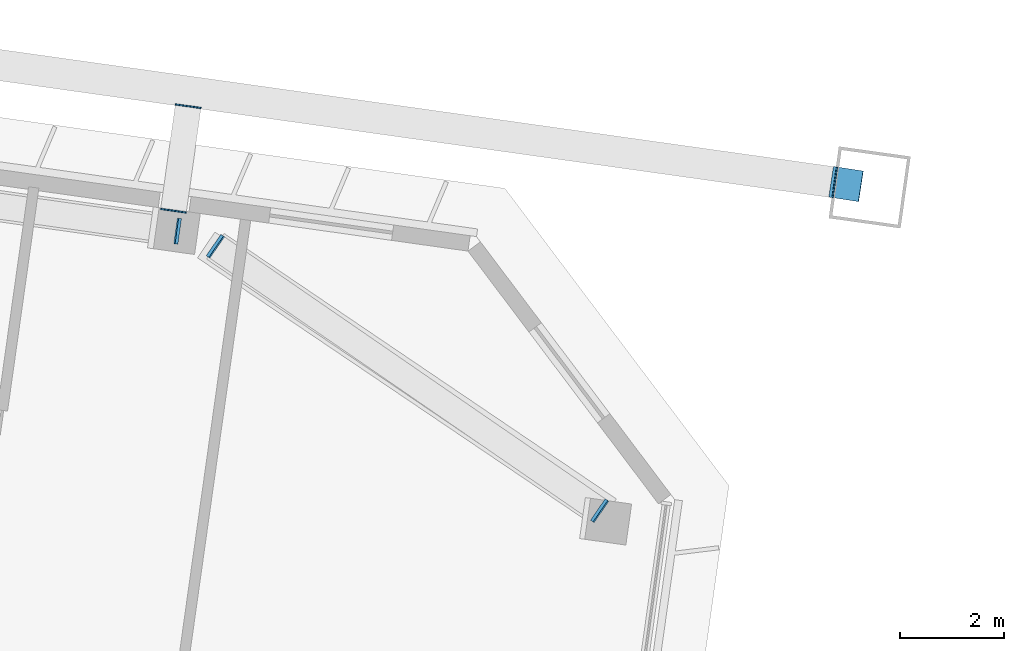
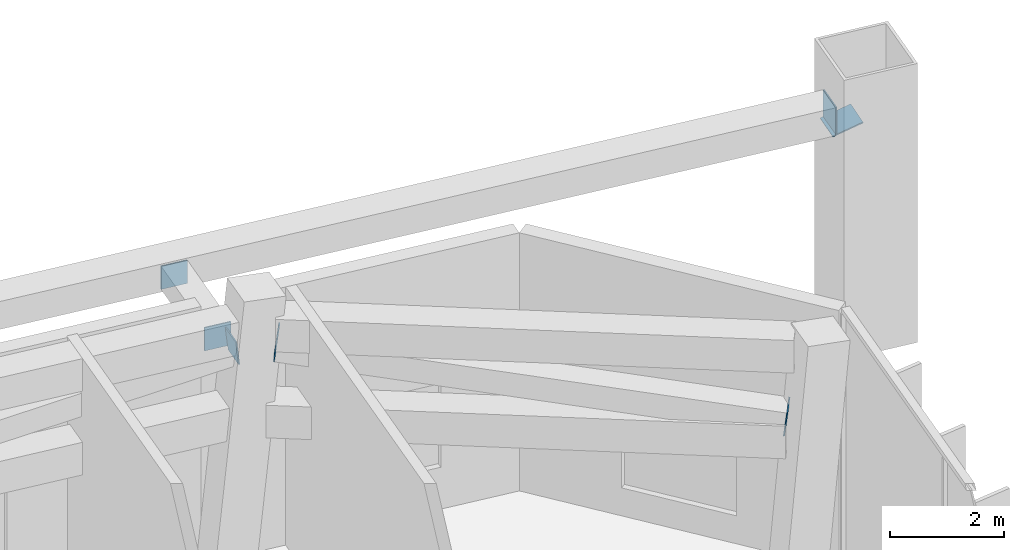
# One storey, part 23 of 29: 7 discrete accessories.
"""IFC4 building model written with IfcOpenShell, lengths in metres."""

from ifc_helpers import new_model, si_unit, direction, frame, origin, origin_2d, place, context, subcontext, project, spatial, rectangle, extrude, material, material_profile, profile_set, type_object, element, save


model = new_model("IFC4")

# Units and contexts
model_context = context("Model", 3, precision=1e-05, world=origin(), true_north=direction((0.0, 1.0)))
body_context = subcontext(model_context, "Body", "Model", "MODEL_VIEW")
ifc_project = project(units=[si_unit("LENGTHUNIT", "METRE"), si_unit("AREAUNIT", "SQUARE_METRE"), si_unit("VOLUMEUNIT", "CUBIC_METRE"), si_unit("PLANEANGLEUNIT", "RADIAN"), si_unit("MASSUNIT", "GRAM", prefix="KILO")], contexts=[model_context])

# Site, building, storey
site_placement = place(None, origin())
site = spatial("IfcSite", under=ifc_project, at=site_placement, CompositionType="ELEMENT")
building_placement = place(site_placement, origin())
building = spatial("IfcBuilding", under=site, at=building_placement, Name="Mirante Cascada Hotel Towers", CompositionType="ELEMENT")
storey_placement = place(building_placement, frame((0.0, 0.0, 210.6)))
storey = spatial("IfcBuildingStorey", under=building, at=storey_placement, Name="L50", CompositionType="ELEMENT", Elevation=210.6)

# Discrete accessories
ifc_material_1 = material(Name="Steel ASTM A572 Gr 50", Category="steel")
ifc_material_profile_1 = material_profile(ifc_material_1, rectangle(XDim=0.5, YDim=0.5, at=origin_2d()), Name="Connection plate 500x500x25 ASTM A572 Gr 50")
ifc_profile_set_1 = profile_set([ifc_material_profile_1], Name="Steel ASTM A572 Gr 50")
discrete_accessory_type_1 = type_object("IfcDiscreteAccessoryType", Name="Connection plate 500x500x25 ASTM A572 Gr 50", PredefinedType="BRACKET", material=ifc_profile_set_1)
discrete_accessory_1_placement = place(storey_placement, frame((-25.3574, 11.567, 3.7485), z_axis=(-0.818, 0.5626244, 0.1197073), x_axis=(-0.5666994, -0.8239246, 0.0)))
element("IfcDiscreteAccessory", 1, at=discrete_accessory_1_placement, inside=storey, type_object=discrete_accessory_type_1, Name="Connection plate BT50D", PredefinedType="BRACKET", context=body_context, shape_type="SweptSolid", body=[
    extrude(rectangle(XDim=0.5, YDim=0.5, at=origin_2d()), origin(), (0.0, 0.0, 1.0), 0.0251),
])
for number, where, z_axis, x_axis, name in (
    (2, (-32.7835, 16.6765, 4.8485), (-0.8166732, 0.5644653, 0.120099), (-0.5685807, -0.8226275, 0.0), "Connection plate BT50D"),
    (3, (-33.51, 16.9731, 4.8514), (-0.9838033, 0.139972, -0.1119776), (-0.1408579, -0.9900298, 0.0), "Connection plate BT50D"),
):
    element("IfcDiscreteAccessory", number, at=place(storey_placement, frame(where, z_axis=z_axis, x_axis=x_axis)), inside=storey, type_object=discrete_accessory_type_1, Name=name, PredefinedType="BRACKET", context=body_context, shape_type="SweptSolid", body=[
        extrude(rectangle(XDim=0.5, YDim=0.5, at=origin_2d()), origin(), (0.0, 0.0, 1.0), 0.025),
    ])
discrete_accessory_2_placement = place(storey_placement, frame((-33.6046, 17.3576, 4.85), z_axis=(0.1402989, 0.9901092, 0.0), x_axis=(-0.9901092, 0.1402989, 0.0)))
element("IfcDiscreteAccessory", 4, at=discrete_accessory_2_placement, inside=storey, type_object=discrete_accessory_type_1, Name="Connection plate TIE", PredefinedType="BRACKET", context=body_context, shape_type="SweptSolid", body=[
    extrude(rectangle(XDim=0.5, YDim=0.5, at=origin_2d()), origin(), (0.0, 0.0, 1.0), 0.0249),
])
discrete_accessory_3_placement = place(storey_placement, frame((-33.3207, 19.3777, 4.85), z_axis=(0.1397442, 0.9901876, 0.0), x_axis=(-0.9901876, 0.1397442, 0.0)))
element("IfcDiscreteAccessory", 5, at=discrete_accessory_3_placement, inside=storey, type_object=discrete_accessory_type_1, Name="Connection plate TIE", PredefinedType="BRACKET", context=body_context, shape_type="SweptSolid", body=[
    extrude(rectangle(XDim=0.5, YDim=0.5, at=origin_2d()), origin(), (0.0, 0.0, 1.0), 0.025),
])
ifc_material_2 = material(Name="Steel ASTM A572 Gr 50", Category="steel")
ifc_material_profile_2 = material_profile(ifc_material_2, rectangle(XDim=0.6, YDim=0.6, at=origin_2d()), Name="Connection plate 600x600x25 ASTM A572 Gr 50")
ifc_profile_set_2 = profile_set([ifc_material_profile_2], Name="Steel ASTM A572 Gr 50")
discrete_accessory_type_2 = type_object("IfcDiscreteAccessoryType", Name="Connection plate 600x600x25 ASTM A572 Gr 50", PredefinedType="BRACKET", material=ifc_profile_set_2)
discrete_accessory_4_placement = place(storey_placement, frame((-20.6025, 17.8856, 4.6096), z_axis=(-0.2591946, 0.0398761, 0.9650016), x_axis=(-0.1520572, -0.9883717, 0.0)))
element("IfcDiscreteAccessory", 6, at=discrete_accessory_4_placement, inside=storey, type_object=discrete_accessory_type_2, Name="Connection plate MB-FL50L", PredefinedType="BRACKET", context=body_context, shape_type="SweptSolid", body=[
    extrude(rectangle(XDim=0.6, YDim=0.6, at=origin_2d()), origin(), (0.0, 0.0, 1.0), 0.0251),
])
discrete_accessory_5_placement = place(storey_placement, frame((-20.8109, 17.9149, 4.85), z_axis=(-0.9901092, 0.1402989, 0.0), x_axis=(-0.1402989, -0.9901092, 0.0)))
element("IfcDiscreteAccessory", 7, at=discrete_accessory_5_placement, inside=storey, type_object=discrete_accessory_type_2, Name="Connection plate NCH", PredefinedType="BRACKET", context=body_context, shape_type="SweptSolid", body=[
    extrude(rectangle(XDim=0.6, YDim=0.6, at=origin_2d()), origin(), (0.0, 0.0, 1.0), 0.0249),
])

save(model, "model.ifc")
